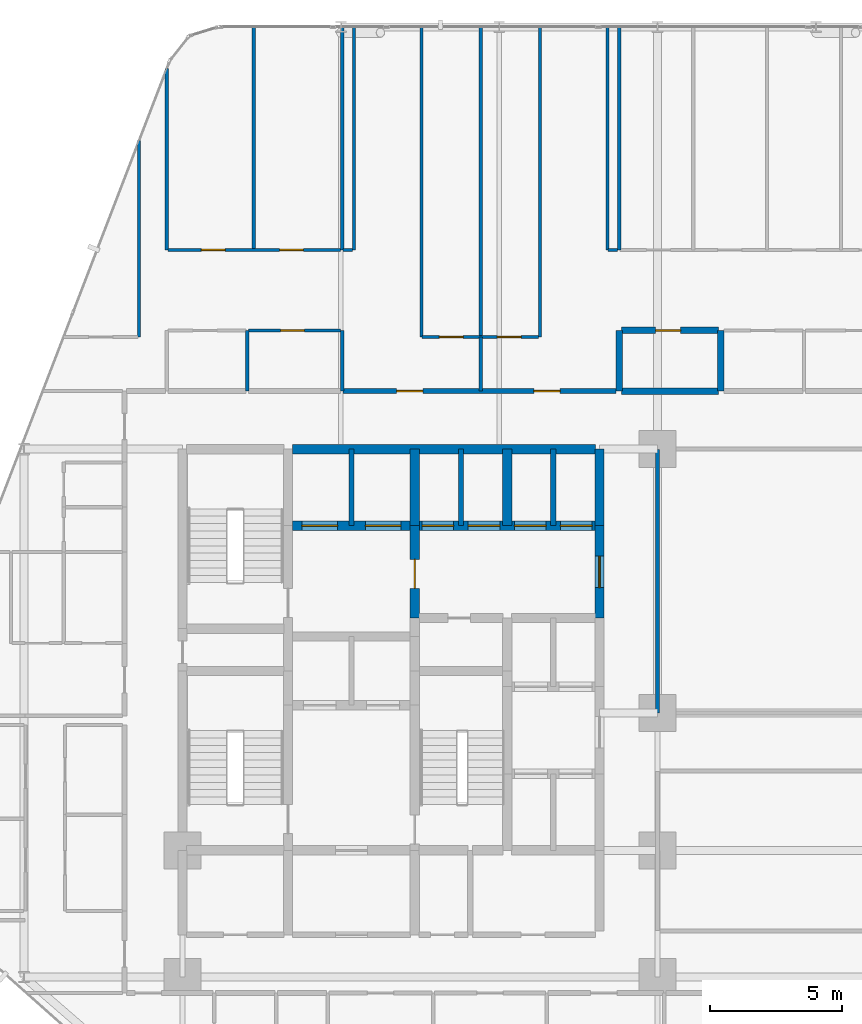
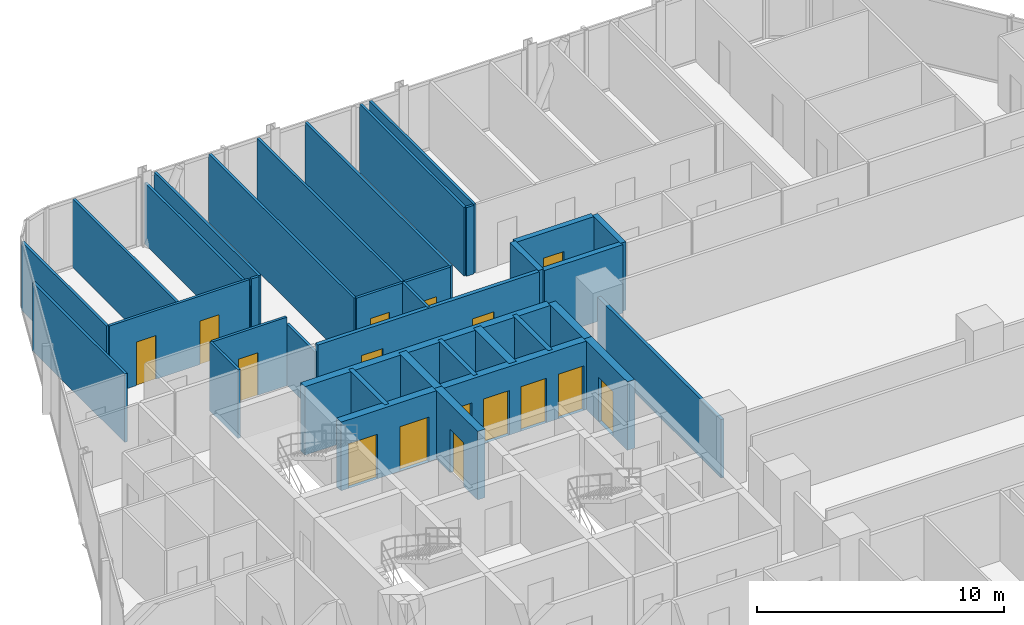
# One storey, part 30 of 34: 34 walls, 16 doors, 16 openings.
"""IFC4 building model written with IfcOpenShell, lengths in metres."""

from ifc_helpers import new_model, si_unit, direction, frame, frame_2d, origin, place, context, subcontext, project, spatial, rectangle, extrude, material, layer, layer_set, type_object, element, fill, save


model = new_model("IFC4")

# Units and contexts
model_context = context("Model", 3, precision=1e-05, world=origin(), true_north=direction((0.0, 1.0)))
body_context = subcontext(model_context, "Body", "Model", "MODEL_VIEW")
ifc_project = project(units=[si_unit("LENGTHUNIT", "METRE"), si_unit("AREAUNIT", "SQUARE_METRE"), si_unit("VOLUMEUNIT", "CUBIC_METRE"), si_unit("PLANEANGLEUNIT", "RADIAN"), si_unit("MASSUNIT", "GRAM", prefix="KILO")], contexts=[model_context])

# Site, building, storey
site_placement = place(None, origin())
site = spatial("IfcSite", under=ifc_project, at=site_placement, CompositionType="ELEMENT")
building_placement = place(site_placement, origin())
building = spatial("IfcBuilding", under=site, at=building_placement, Name="Keshet Zoharim Tower", CompositionType="ELEMENT")
storey_placement = place(building_placement, frame((0.0, 0.0, 46.199951171875)))
storey = spatial("IfcBuildingStorey", under=building, at=storey_placement, Name="L10", CompositionType="ELEMENT", Elevation=46.199951171875)

# Wall
ifc_material_1 = material(Name="Gypsum Plasterboard", Category="gypsum")
ifc_layer_1 = layer(ifc_material_1, 0.14990234375)
ifc_layer_set_1 = layer_set([ifc_layer_1], Name="Gypsum Plasterboard")
wall_type_1 = type_object("IfcWallType", Name="WL-CLIN-150", PredefinedType="STANDARD", material=ifc_layer_set_1)
wall_1_placement = place(storey_placement, frame((33.0, 27.909912109375, 0.0), z_axis=(0.0, 0.0, 1.0), x_axis=(0.0, 1.0, 0.0)))
element("IfcWall", 1, at=wall_1_placement, inside=storey, type_object=wall_type_1, Name="L10 Interior Wall 074", PredefinedType="STANDARD", context=body_context, shape_type="SweptSolid", body=[
    extrude(rectangle(XDim=9.97998046875, YDim=0.14990234375, at=frame_2d((4.989990234375, 0.0))), origin(), (0.0, 0.0, 1.0), 2.885009765625),
])

# Wall, opening, door
ifc_material_2 = material(Name="Concrete C60/75", Category="concrete")
ifc_layer_2 = layer(ifc_material_2, 0.35009765625)
ifc_layer_set_2 = layer_set([ifc_layer_2], Name="Concrete C60/75")
wall_type_2 = type_object("IfcWallType", Name="WL-CORE-350", PredefinedType="SHEAR", material=ifc_layer_set_2)
wall_2_placement = place(storey_placement, frame((23.800048828125, 31.5, 0.0), z_axis=(0.0, 0.0, 1.0), x_axis=(0.0, 1.0, 0.0)))
wall_2 = element("IfcWall", 2, at=wall_2_placement, inside=storey, type_object=wall_type_2, Name="L10 Core Shear Wall 045", PredefinedType="SHEAR", context=body_context, shape_type="SweptSolid", body=[
    extrude(rectangle(XDim=3.5, YDim=0.35009765625, at=frame_2d((1.75, 0.0))), origin(), (0.0, 0.0, 1.0), 3.385009765625),
])
opening_1_placement = place(wall_2_placement, frame((1.126953125, 0.0, 0.0)))
opening_1 = element("IfcOpeningElement", 3, at=opening_1_placement, cuts=wall_2, Name="Opening D-F611", PredefinedType="OPENING", context=body_context, shape_type="SweptSolid", body=[
    extrude(rectangle(XDim=1.10009765625, YDim=2.14990234375, at=frame_2d((0.550048828125, 1.074951171875))), frame((0.0, 0.18505859375, 0.0), z_axis=(0.0, -1.0, 0.0), x_axis=(1.0, 0.0, 0.0)), (0.0, 0.0, 1.0), 0.3701171875),
])
ifc_material_3 = material(Name="Hardwood Timber", Category="wood")
door_type_1 = type_object("IfcDoorType", Name="DR-FD60-110", OperationType="NOTDEFINED", PredefinedType="DOOR", material=ifc_material_3)
door_1_placement = place(opening_1_placement, origin())
door_1 = element("IfcDoor", 4, at=door_1_placement, inside=storey, type_object=door_type_1, Name="L10 Firefighting Lobby Fire Door", OperationType="SINGLE_SWING_LEFT", OverallHeight=2.14990234375, OverallWidth=1.10009765625, PredefinedType="DOOR", context=body_context, shape_type="SweptSolid", body=[
    extrude(rectangle(XDim=1.10009765625, YDim=2.14990234375, at=frame_2d((0.550048828125, 1.074951171875))), frame((0.0, 0.02490234375, 0.0), z_axis=(0.0, -1.0, 0.0), x_axis=(1.0, 0.0, 0.0)), (0.0, 0.0, 1.0), 0.050048828125),
])
fill(opening_1, door_1)

# Walls
for number, where, z_axis, x_axis, name in (
    (5, (23.800048828125, 35.0, 0.0), (0.0, 0.0, 1.0), (0.0, 1.0, 0.0), "L10 Core Shear Wall 046"),
    (6, (27.300048828125, 35.0, 0.0), (0.0, 0.0, 1.0), (0.0, 1.0, 0.0), "L10 Core Shear Wall 057"),
):
    element("IfcWall", number, at=place(storey_placement, frame(where, z_axis=z_axis, x_axis=x_axis)), inside=storey, type_object=wall_type_2, Name=name, PredefinedType="SHEAR", context=body_context, shape_type="SweptSolid", body=[
        extrude(rectangle(XDim=2.89990234375, YDim=0.35009765625, at=frame_2d((1.449951171875, 0.0))), origin(), (0.0, 0.0, 1.0), 3.385009765625),
    ])

# Wall, opening, door
wall_3_placement = place(storey_placement, frame((30.800048828125, 31.5, 0.0), z_axis=(0.0, 0.0, 1.0), x_axis=(0.0, 1.0, 0.0)))
wall_3 = element("IfcWall", 7, at=wall_3_placement, inside=storey, type_object=wall_type_2, Name="L10 Core Shear Wall 067", PredefinedType="SHEAR", context=body_context, shape_type="SweptSolid", body=[
    extrude(rectangle(XDim=3.5, YDim=0.35009765625, at=frame_2d((1.75, 0.0))), origin(), (0.0, 0.0, 1.0), 3.385009765625),
])
opening_2_placement = place(wall_3_placement, frame((1.14990234375, 0.0, 0.0)))
opening_2 = element("IfcOpeningElement", 8, at=opening_2_placement, cuts=wall_3, Name="Opening D-F612", PredefinedType="OPENING", context=body_context, shape_type="SweptSolid", body=[
    extrude(rectangle(XDim=1.199951171875, YDim=2.199951171875, at=frame_2d((0.60009765625, 1.10009765625))), frame((0.0, 0.18505859375, 0.0), z_axis=(0.0, -1.0, 0.0), x_axis=(1.0, 0.0, 0.0)), (0.0, 0.0, 1.0), 0.3701171875),
])
door_type_2 = type_object("IfcDoorType", Name="DR-FD60-120", OperationType="NOTDEFINED", PredefinedType="DOOR", material=ifc_material_3)
door_2_placement = place(opening_2_placement, origin())
door_2 = element("IfcDoor", 9, at=door_2_placement, inside=storey, type_object=door_type_2, Name="L10 North Lift Lobby East Fire Door", OperationType="SINGLE_SWING_LEFT", OverallHeight=2.199951171875, OverallWidth=1.199951171875, PredefinedType="DOOR", context=body_context, shape_type="SweptSolid", body=[
    extrude(rectangle(XDim=1.199951171875, YDim=2.199951171875, at=frame_2d((0.60009765625, 1.10009765625))), frame((0.0, 0.02490234375, 0.0), z_axis=(0.0, -1.0, 0.0), x_axis=(1.0, 0.0, 0.0)), (0.0, 0.0, 1.0), 0.050048828125),
])
fill(opening_2, door_2)

# Wall
wall_4_placement = place(storey_placement, frame((30.800048828125, 35.0, 0.0), z_axis=(0.0, 0.0, 1.0), x_axis=(0.0, 1.0, 0.0)))
element("IfcWall", 10, at=wall_4_placement, inside=storey, type_object=wall_type_2, Name="L10 Core Shear Wall 068", PredefinedType="SHEAR", context=body_context, shape_type="SweptSolid", body=[
    extrude(rectangle(XDim=2.89990234375, YDim=0.35009765625, at=frame_2d((1.449951171875, 0.0))), origin(), (0.0, 0.0, 1.0), 3.385009765625),
])

# Wall, openings, doors
wall_5_placement = place(storey_placement, frame((19.159912109375, 35.0, 0.0), z_axis=(0.0, 0.0, 1.0), x_axis=(1.0, 0.0, 0.0)))
wall_5 = element("IfcWall", 11, at=wall_5_placement, inside=storey, type_object=wall_type_2, Name="L10 Core Shear Wall 188", PredefinedType="SHEAR", context=body_context, shape_type="SweptSolid", body=[
    extrude(rectangle(XDim=11.47998046875, YDim=0.35009765625, at=frame_2d((5.739990234375, 0.0))), origin(), (0.0, 0.0, 1.0), 3.385009765625),
])
opening_3_placement = place(wall_5_placement, frame((0.364990234375, 0.0, 0.0)))
opening_3 = element("IfcOpeningElement", 12, at=opening_3_placement, cuts=wall_5, Name="Opening LD-02", PredefinedType="OPENING", context=body_context, shape_type="SweptSolid", body=[
    extrude(rectangle(XDim=1.35009765625, YDim=2.199951171875, at=frame_2d((0.675048828125, 1.10009765625))), frame((0.0, 0.18505859375, 0.0), z_axis=(0.0, -1.0, 0.0), x_axis=(1.0, 0.0, 0.0)), (0.0, 0.0, 1.0), 0.3701171875),
])
opening_4_placement = place(wall_5_placement, frame((2.764892578125, 0.0, 0.0)))
opening_4 = element("IfcOpeningElement", 13, at=opening_4_placement, cuts=wall_5, Name="Opening LD-02", PredefinedType="OPENING", context=body_context, shape_type="SweptSolid", body=[
    extrude(rectangle(XDim=1.35009765625, YDim=2.199951171875, at=frame_2d((0.675048828125, 1.10009765625))), frame((0.0, 0.18505859375, 0.0), z_axis=(0.0, -1.0, 0.0), x_axis=(1.0, 0.0, 0.0)), (0.0, 0.0, 1.0), 0.3701171875),
])
opening_5_placement = place(wall_5_placement, frame((4.9150390625, 0.0, 0.0)))
opening_5 = element("IfcOpeningElement", 14, at=opening_5_placement, cuts=wall_5, Name="Opening LD-03", PredefinedType="OPENING", context=body_context, shape_type="SweptSolid", body=[
    extrude(rectangle(XDim=1.199951171875, YDim=2.199951171875, at=frame_2d((0.60009765625, 1.10009765625))), frame((0.0, 0.18505859375, 0.0), z_axis=(0.0, -1.0, 0.0), x_axis=(1.0, 0.0, 0.0)), (0.0, 0.0, 1.0), 0.3701171875),
])
opening_6_placement = place(wall_5_placement, frame((6.6650390625, 0.0, 0.0)))
opening_6 = element("IfcOpeningElement", 15, at=opening_6_placement, cuts=wall_5, Name="Opening LD-03", PredefinedType="OPENING", context=body_context, shape_type="SweptSolid", body=[
    extrude(rectangle(XDim=1.199951171875, YDim=2.199951171875, at=frame_2d((0.60009765625, 1.10009765625))), frame((0.0, 0.18505859375, 0.0), z_axis=(0.0, -1.0, 0.0), x_axis=(1.0, 0.0, 0.0)), (0.0, 0.0, 1.0), 0.3701171875),
])
opening_7_placement = place(wall_5_placement, frame((8.4150390625, 0.0, 0.0)))
opening_7 = element("IfcOpeningElement", 16, at=opening_7_placement, cuts=wall_5, Name="Opening LD-03", PredefinedType="OPENING", context=body_context, shape_type="SweptSolid", body=[
    extrude(rectangle(XDim=1.199951171875, YDim=2.199951171875, at=frame_2d((0.60009765625, 1.10009765625))), frame((0.0, 0.18505859375, 0.0), z_axis=(0.0, -1.0, 0.0), x_axis=(1.0, 0.0, 0.0)), (0.0, 0.0, 1.0), 0.3701171875),
])
opening_8_placement = place(wall_5_placement, frame((10.159912109375, 0.0, 0.0)))
opening_8 = element("IfcOpeningElement", 17, at=opening_8_placement, cuts=wall_5, Name="Opening LD-03", PredefinedType="OPENING", context=body_context, shape_type="SweptSolid", body=[
    extrude(rectangle(XDim=1.199951171875, YDim=2.199951171875, at=frame_2d((0.60009765625, 1.10009765625))), frame((0.0, 0.18505859375, 0.0), z_axis=(0.0, -1.0, 0.0), x_axis=(1.0, 0.0, 0.0)), (0.0, 0.0, 1.0), 0.3701171875),
])
ifc_material_4 = material(Name="Steel S355", Category="steel")
door_type_3 = type_object("IfcDoorType", Name="DR-LD02-135", OperationType="DOUBLE_DOOR_SLIDING", PredefinedType="DOOR", material=ifc_material_4)
door_3_placement = place(opening_3_placement, origin())
door_3 = element("IfcDoor", 18, at=door_3_placement, inside=storey, type_object=door_type_3, Name="L10 Firefighting Lift Landing Door FF-01", OperationType="DOUBLE_DOOR_SLIDING", OverallHeight=2.199951171875, OverallWidth=1.35009765625, PredefinedType="DOOR", context=body_context, shape_type="SweptSolid", body=[
    extrude(rectangle(XDim=1.35009765625, YDim=2.199951171875, at=frame_2d((0.675048828125, 1.10009765625))), frame((0.0, 0.02490234375, 0.0), z_axis=(0.0, -1.0, 0.0), x_axis=(1.0, 0.0, 0.0)), (0.0, 0.0, 1.0), 0.050048828125),
])
fill(opening_3, door_3)
door_4_placement = place(opening_4_placement, origin())
door_4 = element("IfcDoor", 19, at=door_4_placement, inside=storey, type_object=door_type_3, Name="L10 Firefighting Lift Landing Door FF-02", OperationType="DOUBLE_DOOR_SLIDING", OverallHeight=2.199951171875, OverallWidth=1.35009765625, PredefinedType="DOOR", context=body_context, shape_type="SweptSolid", body=[
    extrude(rectangle(XDim=1.35009765625, YDim=2.199951171875, at=frame_2d((0.675048828125, 1.10009765625))), frame((0.0, 0.02490234375, 0.0), z_axis=(0.0, -1.0, 0.0), x_axis=(1.0, 0.0, 0.0)), (0.0, 0.0, 1.0), 0.050048828125),
])
fill(opening_4, door_4)
door_type_4 = type_object("IfcDoorType", Name="DR-LD03-120", OperationType="DOUBLE_DOOR_SLIDING", PredefinedType="DOOR", material=ifc_material_4)
door_5_placement = place(opening_5_placement, origin())
door_5 = element("IfcDoor", 20, at=door_5_placement, inside=storey, type_object=door_type_4, Name="L10 Passenger Lift Landing Door LF-01", OperationType="DOUBLE_DOOR_SLIDING", OverallHeight=2.199951171875, OverallWidth=1.199951171875, PredefinedType="DOOR", context=body_context, shape_type="SweptSolid", body=[
    extrude(rectangle(XDim=1.199951171875, YDim=2.199951171875, at=frame_2d((0.60009765625, 1.10009765625))), frame((0.0, 0.02490234375, 0.0), z_axis=(0.0, -1.0, 0.0), x_axis=(1.0, 0.0, 0.0)), (0.0, 0.0, 1.0), 0.050048828125),
])
fill(opening_5, door_5)
door_6_placement = place(opening_6_placement, origin())
door_6 = element("IfcDoor", 21, at=door_6_placement, inside=storey, type_object=door_type_4, Name="L10 Passenger Lift Landing Door LF-02", OperationType="DOUBLE_DOOR_SLIDING", OverallHeight=2.199951171875, OverallWidth=1.199951171875, PredefinedType="DOOR", context=body_context, shape_type="SweptSolid", body=[
    extrude(rectangle(XDim=1.199951171875, YDim=2.199951171875, at=frame_2d((0.60009765625, 1.10009765625))), frame((0.0, 0.02490234375, 0.0), z_axis=(0.0, -1.0, 0.0), x_axis=(1.0, 0.0, 0.0)), (0.0, 0.0, 1.0), 0.050048828125),
])
fill(opening_6, door_6)
door_7_placement = place(opening_7_placement, origin())
door_7 = element("IfcDoor", 22, at=door_7_placement, inside=storey, type_object=door_type_4, Name="L10 Passenger Lift Landing Door LF-03", OperationType="DOUBLE_DOOR_SLIDING", OverallHeight=2.199951171875, OverallWidth=1.199951171875, PredefinedType="DOOR", context=body_context, shape_type="SweptSolid", body=[
    extrude(rectangle(XDim=1.199951171875, YDim=2.199951171875, at=frame_2d((0.60009765625, 1.10009765625))), frame((0.0, 0.02490234375, 0.0), z_axis=(0.0, -1.0, 0.0), x_axis=(1.0, 0.0, 0.0)), (0.0, 0.0, 1.0), 0.050048828125),
])
fill(opening_7, door_7)
door_8_placement = place(opening_8_placement, origin())
door_8 = element("IfcDoor", 23, at=door_8_placement, inside=storey, type_object=door_type_4, Name="L10 Passenger Lift Landing Door LF-04", OperationType="DOUBLE_DOOR_SLIDING", OverallHeight=2.199951171875, OverallWidth=1.199951171875, PredefinedType="DOOR", context=body_context, shape_type="SweptSolid", body=[
    extrude(rectangle(XDim=1.199951171875, YDim=2.199951171875, at=frame_2d((0.60009765625, 1.10009765625))), frame((0.0, 0.02490234375, 0.0), z_axis=(0.0, -1.0, 0.0), x_axis=(1.0, 0.0, 0.0)), (0.0, 0.0, 1.0), 0.050048828125),
])
fill(opening_8, door_8)

# Wall
wall_6_placement = place(storey_placement, frame((19.159912109375, 37.89990234375, 0.0), z_axis=(0.0, 0.0, 1.0), x_axis=(1.0, 0.0, 0.0)))
element("IfcWall", 24, at=wall_6_placement, inside=storey, type_object=wall_type_2, Name="L10 Core Shear Wall 192", PredefinedType="SHEAR", context=body_context, shape_type="SweptSolid", body=[
    extrude(rectangle(XDim=11.47998046875, YDim=0.35009765625, at=frame_2d((5.739990234375, 0.0))), origin(), (0.0, 0.0, 1.0), 3.385009765625),
])

# Wall, openings, doors
ifc_layer_3 = layer(ifc_material_1, 0.179931640625)
ifc_layer_set_3 = layer_set([ifc_layer_3], Name="Gypsum Plasterboard")
wall_type_3 = type_object("IfcWallType", Name="WL-CORR-180", PredefinedType="STANDARD", material=ifc_layer_set_3)
wall_7_placement = place(storey_placement, frame((21.074951171875, 40.10009765625, 0.0), z_axis=(0.0, 0.0, 1.0), x_axis=(1.0, 0.0, 0.0)))
wall_7 = element("IfcWall", 25, at=wall_7_placement, inside=storey, type_object=wall_type_3, Name="L10 Interior Wall 198", PredefinedType="STANDARD", context=body_context, shape_type="SweptSolid", body=[
    extrude(rectangle(XDim=10.344970703125, YDim=0.179931640625, at=frame_2d((5.17236328125, 0.0))), origin(), (0.0, 0.0, 1.0), 3.385009765625),
])
opening_9_placement = place(wall_7_placement, frame((2.034912109375, 0.0, 0.0)))
opening_9 = element("IfcOpeningElement", 26, at=opening_9_placement, cuts=wall_7, Name="Opening D-F310", PredefinedType="OPENING", context=body_context, shape_type="SweptSolid", body=[
    extrude(rectangle(XDim=1.0, YDim=2.14990234375, at=frame_2d((0.5, 1.074951171875))), frame((0.0, 0.10009765625, 0.0), z_axis=(0.0, -1.0, 0.0), x_axis=(1.0, 0.0, 0.0)), (0.0, 0.0, 1.0), 0.199951171875),
])
opening_10_placement = place(wall_7_placement, frame((7.235107421875, 0.0, 0.0)))
opening_10 = element("IfcOpeningElement", 27, at=opening_10_placement, cuts=wall_7, Name="Opening D-F310", PredefinedType="OPENING", context=body_context, shape_type="SweptSolid", body=[
    extrude(rectangle(XDim=1.0, YDim=2.14990234375, at=frame_2d((0.5, 1.074951171875))), frame((0.0, 0.10009765625, 0.0), z_axis=(0.0, -1.0, 0.0), x_axis=(1.0, 0.0, 0.0)), (0.0, 0.0, 1.0), 0.199951171875),
])
door_type_5 = type_object("IfcDoorType", Name="DR-FD30-100", OperationType="NOTDEFINED", PredefinedType="DOOR", material=ifc_material_3)
door_9_placement = place(opening_9_placement, origin())
door_9 = element("IfcDoor", 28, at=door_9_placement, inside=storey, type_object=door_type_5, Name="Apartment 1006 Entrance Door", OperationType="SINGLE_SWING_LEFT", OverallHeight=2.14990234375, OverallWidth=1.0, PredefinedType="DOOR", context=body_context, shape_type="SweptSolid", body=[
    extrude(rectangle(XDim=1.0, YDim=2.14990234375, at=frame_2d((0.5, 1.074951171875))), frame((0.0, 0.02490234375, 0.0), z_axis=(0.0, -1.0, 0.0), x_axis=(1.0, 0.0, 0.0)), (0.0, 0.0, 1.0), 0.050048828125),
])
fill(opening_9, door_9)
door_10_placement = place(opening_10_placement, origin())
door_10 = element("IfcDoor", 29, at=door_10_placement, inside=storey, type_object=door_type_5, Name="Apartment 1007 Entrance Door", OperationType="SINGLE_SWING_RIGHT", OverallHeight=2.14990234375, OverallWidth=1.0, PredefinedType="DOOR", context=body_context, shape_type="SweptSolid", body=[
    extrude(rectangle(XDim=1.0, YDim=2.14990234375, at=frame_2d((0.5, 1.074951171875))), frame((0.0, 0.02490234375, 0.0), z_axis=(0.0, -1.0, 0.0), x_axis=(1.0, 0.0, 0.0)), (0.0, 0.0, 1.0), 0.050048828125),
])
fill(opening_10, door_10)

# Walls
ifc_material_5 = material(Name="Concrete C50/60", Category="concrete")
ifc_layer_4 = layer(ifc_material_5, 0.199951171875)
ifc_layer_set_4 = layer_set([ifc_layer_4], Name="Concrete C50/60")
wall_type_4 = type_object("IfcWallType", Name="WL-FIRE-200", PredefinedType="STANDARD", material=ifc_layer_set_4)
for number, where, z_axis, x_axis, name in (
    (30, (21.39990234375, 35.0, 0.0), (0.0, 0.0, 1.0), (0.0, 1.0, 0.0), "L10 Interior Wall 038"),
    (31, (25.550048828125, 35.0, 0.0), (0.0, 0.0, 1.0), (0.0, 1.0, 0.0), "L10 Interior Wall 049"),
    (32, (29.050048828125, 35.0, 0.0), (0.0, 0.0, 1.0), (0.0, 1.0, 0.0), "L10 Interior Wall 062"),
):
    element("IfcWall", number, at=place(storey_placement, frame(where, z_axis=z_axis, x_axis=x_axis)), inside=storey, type_object=wall_type_4, Name=name, PredefinedType="STANDARD", context=body_context, shape_type="SweptSolid", body=[
        extrude(rectangle(XDim=2.89990234375, YDim=0.199951171875, at=frame_2d((1.449951171875, 0.0))), origin(), (0.0, 0.0, 1.0), 3.385009765625),
    ])
ifc_layer_5 = layer(ifc_material_5, 0.25)
ifc_layer_set_5 = layer_set([ifc_layer_5], Name="Concrete C50/60")
wall_type_5 = type_object("IfcWallType", Name="WL-MAMAD-250", PredefinedType="STANDARD", material=ifc_layer_set_5)
for number, where, z_axis, x_axis, name in (
    (33, (31.550048828125, 40.10009765625, 0.0), (0.0, 0.0, 1.0), (0.0, 1.0, 0.0), "L10 Interior Wall 070"),
    (34, (35.39990234375, 40.10009765625, 0.0), (0.0, 0.0, 1.0), (0.0, 1.0, 0.0), "L10 Interior Wall 078"),
):
    element("IfcWall", number, at=place(storey_placement, frame(where, z_axis=z_axis, x_axis=x_axis)), inside=storey, type_object=wall_type_5, Name=name, PredefinedType="STANDARD", context=body_context, shape_type="SweptSolid", body=[
        extrude(rectangle(XDim=2.2998046875, YDim=0.25, at=frame_2d((1.14990234375, 0.0))), origin(), (0.0, 0.0, 1.0), 3.385009765625),
    ])
wall_8_placement = place(storey_placement, frame((31.639892578125, 40.10009765625, 0.0), z_axis=(0.0, 0.0, 1.0), x_axis=(1.0, 0.0, 0.0)))
element("IfcWall", 35, at=wall_8_placement, inside=storey, type_object=wall_type_5, Name="L10 Interior Wall 199", PredefinedType="STANDARD", context=body_context, shape_type="SweptSolid", body=[
    extrude(rectangle(XDim=3.662109375, YDim=0.25, at=frame_2d((1.8310546875, 0.0))), origin(), (0.0, 0.0, 1.0), 3.385009765625),
])

# Wall, opening, door
wall_9_placement = place(storey_placement, frame((31.639892578125, 42.39990234375, 0.0), z_axis=(0.0, 0.0, 1.0), x_axis=(1.0, 0.0, 0.0)))
wall_9 = element("IfcWall", 36, at=wall_9_placement, inside=storey, type_object=wall_type_5, Name="L10 Interior Wall 212", PredefinedType="STANDARD", context=body_context, shape_type="SweptSolid", body=[
    extrude(rectangle(XDim=3.662109375, YDim=0.25, at=frame_2d((1.8310546875, 0.0))), origin(), (0.0, 0.0, 1.0), 3.385009765625),
])
opening_11_placement = place(wall_9_placement, frame((1.284912109375, 0.0, 0.0)))
opening_11 = element("IfcOpeningElement", 37, at=opening_11_placement, cuts=wall_9, Name="Opening D-F695", PredefinedType="OPENING", context=body_context, shape_type="SweptSolid", body=[
    extrude(rectangle(XDim=0.949951171875, YDim=2.14990234375, at=frame_2d((0.47509765625, 1.074951171875))), frame((0.0, 0.135009765625, 0.0), z_axis=(0.0, -1.0, 0.0), x_axis=(1.0, 0.0, 0.0)), (0.0, 0.0, 1.0), 0.27001953125),
])
door_type_6 = type_object("IfcDoorType", Name="DR-FD60-095", OperationType="NOTDEFINED", PredefinedType="DOOR", material=ifc_material_3)
door_11_placement = place(opening_11_placement, origin())
door_11 = element("IfcDoor", 38, at=door_11_placement, inside=storey, type_object=door_type_6, Name="Apartment 1007 Study and Shelter Room Door", OperationType="SINGLE_SWING_RIGHT", OverallHeight=2.14990234375, OverallWidth=0.949951171875, PredefinedType="DOOR", context=body_context, shape_type="SweptSolid", body=[
    extrude(rectangle(XDim=0.949951171875, YDim=2.14990234375, at=frame_2d((0.47509765625, 1.074951171875))), frame((0.0, 0.02490234375, 0.0), z_axis=(0.0, -1.0, 0.0), x_axis=(1.0, 0.0, 0.0)), (0.0, 0.0, 1.0), 0.050048828125),
])
fill(opening_11, door_11)

# Walls
ifc_layer_6 = layer(ifc_material_1, 0.1201171875)
ifc_layer_set_6 = layer_set([ifc_layer_6], Name="Gypsum Plasterboard")
wall_type_6 = type_object("IfcWallType", Name="WL-PART-120", PredefinedType="PARTITIONING", material=ifc_layer_set_6)
wall_10_placement = place(storey_placement, frame((13.35009765625, 42.14990234375, 0.0), z_axis=(0.0, 0.0, 1.0), x_axis=(0.0, 1.0, 0.0)))
element("IfcWall", 39, at=wall_10_placement, inside=storey, type_object=wall_type_6, Name="L10 Interior Wall 016", PredefinedType="PARTITIONING", context=body_context, shape_type="SweptSolid", body=[
    extrude(rectangle(XDim=7.4501953125, YDim=0.1201171875, at=frame_2d((3.72509765625, 0.0))), origin(), (0.0, 0.0, 1.0), 3.385009765625),
])
wall_11_placement = place(storey_placement, frame((14.39990234375, 45.449951171875, 0.0), z_axis=(0.0, 0.0, 1.0), x_axis=(0.0, 1.0, 0.0)))
element("IfcWall", 40, at=wall_11_placement, inside=storey, type_object=wall_type_6, Name="L10 Interior Wall 018", PredefinedType="PARTITIONING", context=body_context, shape_type="SweptSolid", body=[
    extrude(rectangle(XDim=6.880126953125, YDim=0.1201171875, at=frame_2d((3.43994140625, 0.0))), origin(), (0.0, 0.0, 1.0), 3.385009765625),
])
wall_12_placement = place(storey_placement, frame((17.699951171875, 45.449951171875, 0.0), z_axis=(0.0, 0.0, 1.0), x_axis=(0.0, 1.0, 0.0)))
element("IfcWall", 41, at=wall_12_placement, inside=storey, type_object=wall_type_6, Name="L10 Interior Wall 026", PredefinedType="PARTITIONING", context=body_context, shape_type="SweptSolid", body=[
    extrude(rectangle(XDim=8.43994140625, YDim=0.1201171875, at=frame_2d((4.219970703125, 0.0))), origin(), (0.0, 0.0, 1.0), 3.385009765625),
])
wall_13_placement = place(storey_placement, frame((21.050048828125, 45.449951171875, 0.0), z_axis=(0.0, 0.0, 1.0), x_axis=(0.0, 1.0, 0.0)))
element("IfcWall", 42, at=wall_13_placement, inside=storey, type_object=wall_type_6, Name="L10 Interior Wall 036", PredefinedType="PARTITIONING", context=body_context, shape_type="SweptSolid", body=[
    extrude(rectangle(XDim=8.43994140625, YDim=0.1201171875, at=frame_2d((4.219970703125, 0.0))), origin(), (0.0, 0.0, 1.0), 3.025146484375),
])
wall_14_placement = place(storey_placement, frame((21.5, 45.449951171875, 0.0), z_axis=(0.0, 0.0, 1.0), x_axis=(0.0, 1.0, 0.0)))
element("IfcWall", 43, at=wall_14_placement, inside=storey, type_object=wall_type_6, Name="L10 Interior Wall 039", PredefinedType="PARTITIONING", context=body_context, shape_type="SweptSolid", body=[
    extrude(rectangle(XDim=8.43994140625, YDim=0.1201171875, at=frame_2d((4.219970703125, 0.0))), origin(), (0.0, 0.0, 1.0), 3.385009765625),
])
wall_15_placement = place(storey_placement, frame((24.050048828125, 42.14990234375, 0.0), z_axis=(0.0, 0.0, 1.0), x_axis=(0.0, 1.0, 0.0)))
element("IfcWall", 44, at=wall_15_placement, inside=storey, type_object=wall_type_6, Name="L10 Interior Wall 047", PredefinedType="PARTITIONING", context=body_context, shape_type="SweptSolid", body=[
    extrude(rectangle(XDim=11.739990234375, YDim=0.1201171875, at=frame_2d((5.8701171875, 0.0))), origin(), (0.0, 0.0, 1.0), 3.385009765625),
])
wall_16_placement = place(storey_placement, frame((26.300048828125, 40.10009765625, 0.0), z_axis=(0.0, 0.0, 1.0), x_axis=(0.0, 1.0, 0.0)))
element("IfcWall", 45, at=wall_16_placement, inside=storey, type_object=wall_type_6, Name="L10 Interior Wall 051", PredefinedType="PARTITIONING", context=body_context, shape_type="SweptSolid", body=[
    extrude(rectangle(XDim=2.0498046875, YDim=0.1201171875, at=frame_2d((1.02490234375, 0.0))), origin(), (0.0, 0.0, 1.0), 3.385009765625),
])
for number, where, z_axis, x_axis, name in (
    (46, (26.300048828125, 42.14990234375, 0.0), (0.0, 0.0, 1.0), (0.0, 1.0, 0.0), "L10 Interior Wall 052"),
    (47, (28.550048828125, 42.14990234375, 0.0), (0.0, 0.0, 1.0), (0.0, 1.0, 0.0), "L10 Interior Wall 058"),
):
    element("IfcWall", number, at=place(storey_placement, frame(where, z_axis=z_axis, x_axis=x_axis)), inside=storey, type_object=wall_type_6, Name=name, PredefinedType="PARTITIONING", context=body_context, shape_type="SweptSolid", body=[
        extrude(rectangle(XDim=11.739990234375, YDim=0.1201171875, at=frame_2d((5.8701171875, 0.0))), origin(), (0.0, 0.0, 1.0), 3.385009765625),
    ])
for number, where, z_axis, x_axis, name in (
    (48, (31.10009765625, 45.449951171875, 0.0), (0.0, 0.0, 1.0), (0.0, 1.0, 0.0), "L10 Interior Wall 069"),
    (49, (31.550048828125, 45.449951171875, 0.0), (0.0, 0.0, 1.0), (0.0, 1.0, 0.0), "L10 Interior Wall 071"),
):
    element("IfcWall", number, at=place(storey_placement, frame(where, z_axis=z_axis, x_axis=x_axis)), inside=storey, type_object=wall_type_6, Name=name, PredefinedType="PARTITIONING", context=body_context, shape_type="SweptSolid", body=[
        extrude(rectangle(XDim=8.43994140625, YDim=0.1201171875, at=frame_2d((4.219970703125, 0.0))), origin(), (0.0, 0.0, 1.0), 3.385009765625),
    ])

# Wall, openings, doors
wall_17_placement = place(storey_placement, frame((24.074951171875, 42.14990234375, 0.0), z_axis=(0.0, 0.0, 1.0), x_axis=(1.0, 0.0, 0.0)))
wall_17 = element("IfcWall", 50, at=wall_17_placement, inside=storey, type_object=wall_type_6, Name="L10 Interior Wall 209", PredefinedType="PARTITIONING", context=body_context, shape_type="SweptSolid", body=[
    extrude(rectangle(XDim=4.41015625, YDim=0.1201171875, at=frame_2d((2.205078125, 0.0))), origin(), (0.0, 0.0, 1.0), 3.385009765625),
])
opening_12_placement = place(wall_17_placement, frame((0.655029296875, 0.0, 0.0)))
opening_12 = element("IfcOpeningElement", 51, at=opening_12_placement, cuts=wall_17, Name="Opening D-IN90", PredefinedType="OPENING", context=body_context, shape_type="SweptSolid", body=[
    extrude(rectangle(XDim=0.89990234375, YDim=2.14990234375, at=frame_2d((0.449951171875, 1.074951171875))), frame((0.0, 0.070068359375, 0.0), z_axis=(0.0, -1.0, 0.0), x_axis=(1.0, 0.0, 0.0)), (0.0, 0.0, 1.0), 0.14013671875),
])
opening_13_placement = place(wall_17_placement, frame((2.85498046875, 0.0, 0.0)))
opening_13 = element("IfcOpeningElement", 52, at=opening_13_placement, cuts=wall_17, Name="Opening D-IN90", PredefinedType="OPENING", context=body_context, shape_type="SweptSolid", body=[
    extrude(rectangle(XDim=0.89990234375, YDim=2.14990234375, at=frame_2d((0.449951171875, 1.074951171875))), frame((0.0, 0.070068359375, 0.0), z_axis=(0.0, -1.0, 0.0), x_axis=(1.0, 0.0, 0.0)), (0.0, 0.0, 1.0), 0.14013671875),
])
door_type_7 = type_object("IfcDoorType", Name="DR-INT-090", OperationType="NOTDEFINED", PredefinedType="DOOR", material=ifc_material_3)
door_12_placement = place(opening_12_placement, origin())
door_12 = element("IfcDoor", 53, at=door_12_placement, inside=storey, type_object=door_type_7, Name="Apartment 1006 Formal Dining Room Door", OperationType="SINGLE_SWING_RIGHT", OverallHeight=2.14990234375, OverallWidth=0.89990234375, PredefinedType="DOOR", context=body_context, shape_type="SweptSolid", body=[
    extrude(rectangle(XDim=0.89990234375, YDim=2.14990234375, at=frame_2d((0.449951171875, 1.074951171875))), frame((0.0, 0.02490234375, 0.0), z_axis=(0.0, -1.0, 0.0), x_axis=(1.0, 0.0, 0.0)), (0.0, 0.0, 1.0), 0.050048828125),
])
fill(opening_12, door_12)
door_13_placement = place(opening_13_placement, origin())
door_13 = element("IfcDoor", 54, at=door_13_placement, inside=storey, type_object=door_type_7, Name="Apartment 1007 Formal Dining Room Door", OperationType="SINGLE_SWING_LEFT", OverallHeight=2.14990234375, OverallWidth=0.89990234375, PredefinedType="DOOR", context=body_context, shape_type="SweptSolid", body=[
    extrude(rectangle(XDim=0.89990234375, YDim=2.14990234375, at=frame_2d((0.449951171875, 1.074951171875))), frame((0.0, 0.02490234375, 0.0), z_axis=(0.0, -1.0, 0.0), x_axis=(1.0, 0.0, 0.0)), (0.0, 0.0, 1.0), 0.050048828125),
])
fill(opening_13, door_13)

wall_18_placement = place(storey_placement, frame((14.445068359375, 45.449951171875, 0.0), z_axis=(0.0, 0.0, 1.0), x_axis=(1.0, 0.0, 0.0)))
wall_18 = element("IfcWall", 55, at=wall_18_placement, inside=storey, type_object=wall_type_6, Name="L10 Interior Wall 219", PredefinedType="PARTITIONING", context=body_context, shape_type="SweptSolid", body=[
    extrude(rectangle(XDim=6.5400390625, YDim=0.1201171875, at=frame_2d((3.27001953125, 0.0))), origin(), (0.0, 0.0, 1.0), 3.385009765625),
])
opening_14_placement = place(wall_18_placement, frame((1.26611328125, 0.0, 0.0)))
opening_14 = element("IfcOpeningElement", 56, at=opening_14_placement, cuts=wall_18, Name="Opening D-IN90", PredefinedType="OPENING", context=body_context, shape_type="SweptSolid", body=[
    extrude(rectangle(XDim=0.89990234375, YDim=2.14990234375, at=frame_2d((0.449951171875, 1.074951171875))), frame((0.0, 0.070068359375, 0.0), z_axis=(0.0, -1.0, 0.0), x_axis=(1.0, 0.0, 0.0)), (0.0, 0.0, 1.0), 0.14013671875),
])
opening_15_placement = place(wall_18_placement, frame((4.23095703125, 0.0, 0.0)))
opening_15 = element("IfcOpeningElement", 57, at=opening_15_placement, cuts=wall_18, Name="Opening D-IN90", PredefinedType="OPENING", context=body_context, shape_type="SweptSolid", body=[
    extrude(rectangle(XDim=0.89990234375, YDim=2.14990234375, at=frame_2d((0.449951171875, 1.074951171875))), frame((0.0, 0.070068359375, 0.0), z_axis=(0.0, -1.0, 0.0), x_axis=(1.0, 0.0, 0.0)), (0.0, 0.0, 1.0), 0.14013671875),
])
door_14_placement = place(opening_14_placement, origin())
door_14 = element("IfcDoor", 58, at=door_14_placement, inside=storey, type_object=door_type_7, Name="Apartment 1006 Bedroom 1 Door", OperationType="SINGLE_SWING_LEFT", OverallHeight=2.14990234375, OverallWidth=0.89990234375, PredefinedType="DOOR", context=body_context, shape_type="SweptSolid", body=[
    extrude(rectangle(XDim=0.89990234375, YDim=2.14990234375, at=frame_2d((0.449951171875, 1.074951171875))), frame((0.0, 0.02490234375, 0.0), z_axis=(0.0, -1.0, 0.0), x_axis=(1.0, 0.0, 0.0)), (0.0, 0.0, 1.0), 0.050048828125),
])
fill(opening_14, door_14)
door_15_placement = place(opening_15_placement, origin())
door_15 = element("IfcDoor", 59, at=door_15_placement, inside=storey, type_object=door_type_7, Name="Apartment 1006 Bedroom 2 Door", OperationType="SINGLE_SWING_RIGHT", OverallHeight=2.14990234375, OverallWidth=0.89990234375, PredefinedType="DOOR", context=body_context, shape_type="SweptSolid", body=[
    extrude(rectangle(XDim=0.89990234375, YDim=2.14990234375, at=frame_2d((0.449951171875, 1.074951171875))), frame((0.0, 0.02490234375, 0.0), z_axis=(0.0, -1.0, 0.0), x_axis=(1.0, 0.0, 0.0)), (0.0, 0.0, 1.0), 0.050048828125),
])
fill(opening_15, door_15)

# Walls
for number, where, z_axis, x_axis, name in (
    (60, (21.074951171875, 45.449951171875, 0.0), (0.0, 0.0, 1.0), (1.0, 0.0, 0.0), "L10 Interior Wall 220"),
    (61, (31.125, 45.449951171875, 0.0), (0.0, 0.0, 1.0), (1.0, 0.0, 0.0), "L10 Interior Wall 221"),
):
    element("IfcWall", number, at=place(storey_placement, frame(where, z_axis=z_axis, x_axis=x_axis)), inside=storey, type_object=wall_type_6, Name=name, PredefinedType="PARTITIONING", context=body_context, shape_type="SweptSolid", body=[
        extrude(rectangle(XDim=0.360107421875, YDim=0.1201171875, at=frame_2d((0.18017578125, 0.0))), origin(), (0.0, 0.0, 1.0), 3.385009765625),
    ])
ifc_layer_7 = layer(ifc_material_1, 0.1201171875)
ifc_layer_set_7 = layer_set([ifc_layer_7], Name="Gypsum Plasterboard")
wall_type_7 = type_object("IfcWallType", Name="WL-WET-120", PredefinedType="PARTITIONING", material=ifc_layer_set_7)
wall_19_placement = place(storey_placement, frame((17.449951171875, 40.10009765625, 0.0), z_axis=(0.0, 0.0, 1.0), x_axis=(0.0, 1.0, 0.0)))
element("IfcWall", 62, at=wall_19_placement, inside=storey, type_object=wall_type_7, Name="L10 Interior Wall 025", PredefinedType="PARTITIONING", context=body_context, shape_type="SweptSolid", body=[
    extrude(rectangle(XDim=2.2998046875, YDim=0.1201171875, at=frame_2d((1.14990234375, 0.0))), origin(), (0.0, 0.0, 1.0), 3.385009765625),
])
wall_20_placement = place(storey_placement, frame((21.050048828125, 40.10009765625, 0.0), z_axis=(0.0, 0.0, 1.0), x_axis=(0.0, 1.0, 0.0)))
element("IfcWall", 63, at=wall_20_placement, inside=storey, type_object=wall_type_7, Name="L10 Interior Wall 035", PredefinedType="PARTITIONING", context=body_context, shape_type="SweptSolid", body=[
    extrude(rectangle(XDim=2.2998046875, YDim=0.1201171875, at=frame_2d((1.14990234375, 0.0))), origin(), (0.0, 0.0, 1.0), 3.025146484375),
])

# Wall, opening, door
wall_21_placement = place(storey_placement, frame((17.4951171875, 42.39990234375, 0.0), z_axis=(0.0, 0.0, 1.0), x_axis=(1.0, 0.0, 0.0)))
wall_21 = element("IfcWall", 64, at=wall_21_placement, inside=storey, type_object=wall_type_7, Name="L10 Interior Wall 211", PredefinedType="PARTITIONING", context=body_context, shape_type="SweptSolid", body=[
    extrude(rectangle(XDim=3.489990234375, YDim=0.1201171875, at=frame_2d((1.7451171875, 0.0))), origin(), (0.0, 0.0, 1.0), 3.385009765625),
])
opening_16_placement = place(wall_21_placement, frame((1.222900390625, 0.0, 0.0)))
opening_16 = element("IfcOpeningElement", 65, at=opening_16_placement, cuts=wall_21, Name="Opening D-WT90", PredefinedType="OPENING", context=body_context, shape_type="SweptSolid", body=[
    extrude(rectangle(XDim=0.89990234375, YDim=2.10009765625, at=frame_2d((0.449951171875, 1.050048828125))), frame((0.0, 0.070068359375, 0.0), z_axis=(0.0, -1.0, 0.0), x_axis=(1.0, 0.0, 0.0)), (0.0, 0.0, 1.0), 0.14013671875),
])
door_type_8 = type_object("IfcDoorType", Name="DR-WET-090", OperationType="NOTDEFINED", PredefinedType="DOOR", material=ifc_material_3)
door_16_placement = place(opening_16_placement, origin())
door_16 = element("IfcDoor", 66, at=door_16_placement, inside=storey, type_object=door_type_8, Name="Apartment 1006 Bathroom Door", OperationType="SINGLE_SWING_LEFT", OverallHeight=2.10009765625, OverallWidth=0.89990234375, PredefinedType="DOOR", context=body_context, shape_type="SweptSolid", body=[
    extrude(rectangle(XDim=0.89990234375, YDim=2.10009765625, at=frame_2d((0.449951171875, 1.050048828125))), frame((0.0, 0.02490234375, 0.0), z_axis=(0.0, -1.0, 0.0), x_axis=(1.0, 0.0, 0.0)), (0.0, 0.0, 1.0), 0.050048828125),
])
fill(opening_16, door_16)

save(model, "model.ifc")
